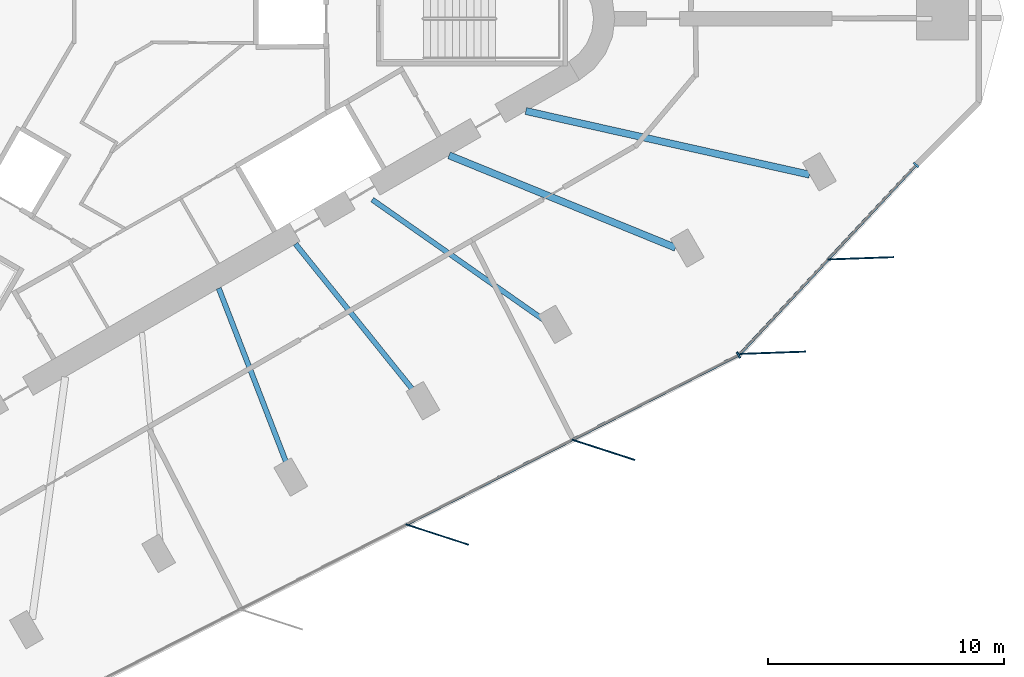
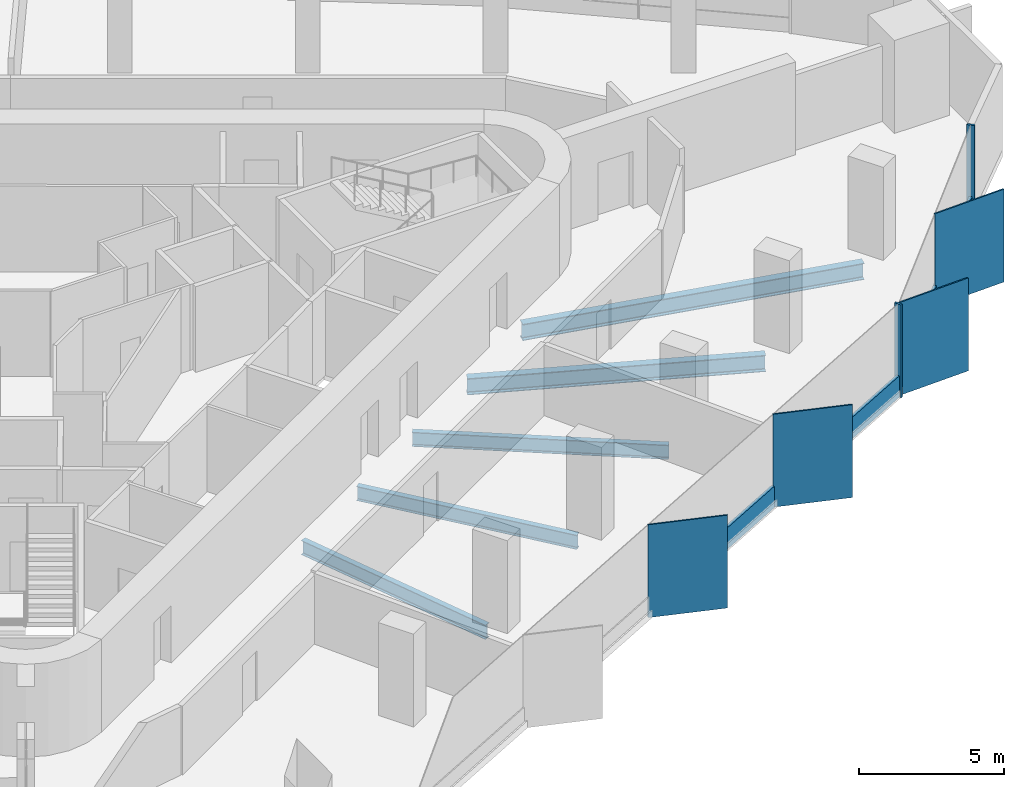
# One storey, part 3 of 13: 10 members, 5 beams, 2 elements without a shape of their own.
"""IFC4 building model written with IfcOpenShell, lengths in metres."""

from ifc_helpers import new_model, si_unit, direction, frame, origin, origin_2d, place, context, subcontext, project, spatial, rectangle, i_section, extrude, material, material_profile, profile_set, type_object, element, aggregate, save


model = new_model("IFC4")

# Units and contexts
model_context = context("Model", 3, precision=1e-05, world=origin(), true_north=direction((0.0, 1.0)))
body_context = subcontext(model_context, "Body", "Model", "MODEL_VIEW")
ifc_project = project(units=[si_unit("LENGTHUNIT", "METRE"), si_unit("AREAUNIT", "SQUARE_METRE"), si_unit("VOLUMEUNIT", "CUBIC_METRE"), si_unit("PLANEANGLEUNIT", "RADIAN"), si_unit("MASSUNIT", "GRAM", prefix="KILO")], contexts=[model_context])

# Site, building, storey
site_placement = place(None, origin())
site = spatial("IfcSite", under=ifc_project, at=site_placement, CompositionType="ELEMENT")
building_placement = place(site_placement, origin())
building = spatial("IfcBuilding", under=site, at=building_placement, Name="Tanit Gate Tower", CompositionType="ELEMENT")
storey_placement = place(building_placement, frame((0.0, 0.0, 310.39990234375)))
storey = spatial("IfcBuildingStorey", under=building, at=storey_placement, Name="L69", CompositionType="ELEMENT", Elevation=310.39990234375)

# Curtain wall, members
ifc_material_1 = material(Name="Aluminium bronze anodised and glass", Category="aluminium")
curtain_wall_type = type_object("IfcCurtainWallType", Name="Curtain wall typical high", PredefinedType="NOTDEFINED", material=ifc_material_1)
curtain_wall_1_placement = place(storey_placement, origin())
curtain_wall_1 = element("IfcCurtainWall", 1, at=curtain_wall_1_placement, inside=storey, type_object=curtain_wall_type, Name="Curtain wall L69 SE2", PredefinedType="NOTDEFINED")
ifc_material_2 = material(Name="Aluminium bronze anodised", Category="aluminium")
ifc_material_profile_1 = material_profile(ifc_material_2, rectangle(XDim=2.800048828125, YDim=0.055908203125, at=origin_2d()), Name="56x2800 bronze fin mullion")
ifc_profile_set_1 = profile_set([ifc_material_profile_1], Name="Aluminium bronze anodised")
member_type_1 = type_object("IfcMemberType", Name="FIN MULLION 56x2800 bronze", PredefinedType="MULLION", material=ifc_profile_set_1)
member_1_placement = place(storey_placement, frame((13.679443359375, -21.848388671875, -0.2998046875), z_axis=(0.0, 0.0, 1.0), x_axis=(-0.95115950718, 0.308699841109, 0.0)))
member_1 = element("IfcMember", 2, at=member_1_placement, type_object=member_type_1, Name="Fin mullion L69 SE2.3", PredefinedType="MULLION", context=body_context, shape_type="SweptSolid", body=[
    extrude(rectangle(XDim=2.800048828125, YDim=0.055908203125, at=origin_2d()), origin(), (0.0, 0.0, 1.0), 3.89990234375),
])
member_2_placement = place(storey_placement, frame((20.716552734375, -18.259765625, -0.2998046875), z_axis=(0.0, 0.0, 1.0), x_axis=(-0.95115950718, 0.308699841109, 0.0)))
member_2 = element("IfcMember", 3, at=member_2_placement, type_object=member_type_1, Name="Fin mullion L69 SE2.4", PredefinedType="MULLION", context=body_context, shape_type="SweptSolid", body=[
    extrude(rectangle(XDim=2.800048828125, YDim=0.055908203125, at=origin_2d()), origin(), (0.0, 0.0, 1.0), 3.89990234375),
])

curtain_wall_2_placement = place(storey_placement, origin())
curtain_wall_2 = element("IfcCurtainWall", 4, at=curtain_wall_2_placement, inside=storey, type_object=curtain_wall_type, Name="Curtain wall L69 SE3", PredefinedType="NOTDEFINED")
member_3_placement = place(storey_placement, frame((27.88330078125, -14.14892578125, -0.2998046875), z_axis=(0.0, 0.0, 1.0), x_axis=(-0.999378821077, -0.035241622859, 0.0)))
member_3 = element("IfcMember", 5, at=member_3_placement, type_object=member_type_1, Name="Fin mullion L69 SE3.1", PredefinedType="MULLION", context=body_context, shape_type="SweptSolid", body=[
    extrude(rectangle(XDim=2.800048828125, YDim=0.055908203125, at=origin_2d()), origin(), (0.0, 0.0, 1.0), 3.89990234375),
])
member_4_placement = place(storey_placement, frame((31.61181640625, -10.14794921875, -0.2998046875), z_axis=(0.0, 0.0, 1.0), x_axis=(-0.999378821077, -0.035241622859, 0.0)))
member_4 = element("IfcMember", 6, at=member_4_placement, type_object=member_type_1, Name="Fin mullion L69 SE3.2", PredefinedType="MULLION", context=body_context, shape_type="SweptSolid", body=[
    extrude(rectangle(XDim=2.800048828125, YDim=0.055908203125, at=origin_2d()), origin(), (0.0, 0.0, 1.0), 3.89990234375),
])

# Member
ifc_material_3 = material(Name="Aluminium bronze anodised", Category="aluminium")
ifc_material_profile_2 = material_profile(ifc_material_3, rectangle(XDim=0.280029296875, YDim=0.080078125, at=origin_2d()), Name="80x280 bronze mullion")
ifc_profile_set_2 = profile_set([ifc_material_profile_2], Name="Aluminium bronze anodised")
member_type_2 = type_object("IfcMemberType", Name="Mullion 80x280 typical high", PredefinedType="MULLION", material=ifc_profile_set_2)
member_5_placement = place(storey_placement, frame((26.441162109375, -14.2451171875, -0.2998046875), z_axis=(0.0, 0.0, 1.0), x_axis=(-0.454287586518, 0.890855088516, 0.0)))
member_5 = element("IfcMember", 7, at=member_5_placement, type_object=member_type_2, Name="Mullion L69 SE2.5", PredefinedType="MULLION", context=body_context, shape_type="SweptSolid", body=[
    extrude(rectangle(XDim=0.280029296875, YDim=0.080078125, at=origin_2d()), origin(), (0.0, 0.0, 1.0), 3.89990234375),
])

member_6_placement = place(storey_placement, frame((33.961181640625, -6.1953125, -0.2998046875), z_axis=(0.0, 0.0, 1.0), x_axis=(-0.731587131862, 0.681747950854, 0.0)))
member_6 = element("IfcMember", 8, at=member_6_placement, type_object=member_type_2, Name="Mullion L69 SE3.3", PredefinedType="MULLION", context=body_context, shape_type="SweptSolid", body=[
    extrude(rectangle(XDim=0.280029296875, YDim=0.080078125, at=origin_2d()), origin(), (0.0, 0.0, 1.0), 3.89990234375),
])

# Beams
ifc_material_4 = material(Name="Steel S355", Category="steel")
ifc_material_profile_3 = material_profile(ifc_material_4, i_section(OverallWidth=0.300048828125, OverallDepth=0.68994140625, WebThickness=0.014404296875, FlangeThickness=0.027099609375, FilletRadius=0.027099609375, at=origin_2d()), Name="HEA 700")
ifc_profile_set_3 = profile_set([ifc_material_profile_3], Name="Steel S355")
beam_type_1 = type_object("IfcBeamType", Name="RADIAL GIRDER HEA 700 S355", PredefinedType="BEAM", material=ifc_profile_set_3)
beam_1_placement = place(storey_placement, frame((23.7705078125, -9.7021484375, -0.64501953125), z_axis=(-0.925849999648, 0.377891225292, 0.0), x_axis=(-0.377891225292, -0.925849999648, 0.0)))
element("IfcBeam", 9, at=beam_1_placement, inside=storey, type_object=beam_type_1, Name="RADIAL GIRDER", PredefinedType="BEAM", context=body_context, shape_type="SweptSolid", body=[
    extrude(i_section(OverallWidth=0.300048828125, OverallDepth=0.68994140625, WebThickness=0.014404296875, FlangeThickness=0.027099609375, FilletRadius=0.027099609375, at=origin_2d()), origin(), (0.0, 0.0, 1.0), 10.35888671875),
])
beam_2_placement = place(storey_placement, frame((29.446533203125, -6.605712890625, -0.64501953125), z_axis=(-0.975751261889, 0.218882331225, 0.0), x_axis=(-0.218882331225, -0.975751261889, 0.0)))
element("IfcBeam", 10, at=beam_2_placement, inside=storey, type_object=beam_type_1, Name="RADIAL GIRDER", PredefinedType="BEAM", context=body_context, shape_type="SweptSolid", body=[
    extrude(i_section(OverallWidth=0.300048828125, OverallDepth=0.68994140625, WebThickness=0.014404296875, FlangeThickness=0.027099609375, FilletRadius=0.027099609375, at=origin_2d()), origin(), (0.0, 0.0, 1.0), 12.31396484375),
])
ifc_material_5 = material(Name="Steel S355", Category="steel")
ifc_material_profile_4 = material_profile(ifc_material_5, i_section(OverallWidth=0.219970703125, OverallDepth=0.60009765625, WebThickness=0.011962890625, FlangeThickness=0.01904296875, FilletRadius=0.02392578125, at=origin_2d()), Name="IPE 600")
ifc_profile_set_4 = profile_set([ifc_material_profile_4], Name="Steel S355")
beam_type_2 = type_object("IfcBeamType", Name="RADIAL GIRDER IPE 600 S355", PredefinedType="BEAM", material=ifc_profile_set_4)
for number, where, z_axis, x_axis, name in (
    (11, (7.36279296875, -18.99951171875, -0.599853515625), (-0.361334449338, 0.932436279711, 0.0), (-0.932436279711, -0.361334449338, 0.0), "RADIAL GIRDER"),
    (12, (12.772705078125, -15.876220703125, -0.599853515625), (-0.626835145211, 0.779151911201, 0.0), (-0.779151911201, -0.626835145211, 0.0), "RADIAL GIRDER"),
):
    element("IfcBeam", number, at=place(storey_placement, frame(where, z_axis=z_axis, x_axis=x_axis)), inside=storey, type_object=beam_type_2, Name=name, PredefinedType="BEAM", context=body_context, shape_type="SweptSolid", body=[
        extrude(i_section(OverallWidth=0.219970703125, OverallDepth=0.60009765625, WebThickness=0.011962890625, FlangeThickness=0.01904296875, FilletRadius=0.02392578125, at=origin_2d()), origin(), (0.0, 0.0, 1.0), 8.129638671875),
    ])
beam_3_placement = place(storey_placement, frame((18.1826171875, -12.752685546875, -0.599853515625), z_axis=(-0.818711219001, 0.574205485764, 0.0), x_axis=(-0.574205485764, -0.818711219001, 0.0)))
element("IfcBeam", 13, at=beam_3_placement, inside=storey, type_object=beam_type_2, Name="RADIAL GIRDER", PredefinedType="BEAM", context=body_context, shape_type="SweptSolid", body=[
    extrude(i_section(OverallWidth=0.219970703125, OverallDepth=0.60009765625, WebThickness=0.011962890625, FlangeThickness=0.01904296875, FilletRadius=0.02392578125, at=origin_2d()), origin(), (0.0, 0.0, 1.0), 8.86083984375),
])

# Member
ifc_material_6 = material(Name="Aluminium bronze anodised", Category="aluminium")
ifc_material_profile_5 = material_profile(ifc_material_6, rectangle(XDim=0.1201171875, YDim=0.89990234375, at=origin_2d()), Name="120x900 bronze transom")
ifc_profile_set_5 = profile_set([ifc_material_profile_5], Name="Aluminium bronze anodised")
member_type_3 = type_object("IfcMemberType", Name="Transom 120x900 typical high", PredefinedType="USERDEFINED", material=ifc_profile_set_5)
member_7_placement = place(storey_placement, frame((12.402099609375, -21.404296875, 0.150146484375), z_axis=(0.890845944364, 0.454305517697, 0.0), x_axis=(-0.454305517697, 0.890845944364, 0.0)))
member_7 = element("IfcMember", 14, at=member_7_placement, type_object=member_type_3, Name="Transom L69 SE2.3", ObjectType="TRANSOM", PredefinedType="USERDEFINED", context=body_context, shape_type="SweptSolid", body=[
    extrude(rectangle(XDim=0.1201171875, YDim=0.89990234375, at=origin_2d()), origin(), (0.0, 0.0, 1.0), 7.819580078125),
])

member_8_placement = place(storey_placement, frame((19.439453125, -17.8154296875, 0.150146484375), z_axis=(0.890858580088, 0.454280739504, 0.0), x_axis=(-0.454280739504, 0.890858580088, 0.0)))
member_8 = element("IfcMember", 15, at=member_8_placement, type_object=member_type_3, Name="Transom L69 SE2.4", ObjectType="TRANSOM", PredefinedType="USERDEFINED", context=body_context, shape_type="SweptSolid", body=[
    extrude(rectangle(XDim=0.1201171875, YDim=0.89990234375, at=origin_2d()), origin(), (0.0, 0.0, 1.0), 7.819580078125),
])

aggregate(curtain_wall_1, [member_1, member_2, member_5, member_7, member_8])

member_9_placement = place(storey_placement, frame((26.53125, -14.16845703125, 0.150146484375), z_axis=(0.681751500039, 0.731583824449, 0.0), x_axis=(-0.731583824449, 0.681751500039, 0.0)))
member_9 = element("IfcMember", 16, at=member_9_placement, type_object=member_type_3, Name="Transom L69 SE3.1", ObjectType="TRANSOM", PredefinedType="USERDEFINED", context=body_context, shape_type="SweptSolid", body=[
    extrude(rectangle(XDim=0.1201171875, YDim=0.89990234375, at=origin_2d()), origin(), (0.0, 0.0, 1.0), 5.38916015625),
])

member_10_placement = place(storey_placement, frame((30.259765625, -10.167236328125, 0.150146484375), z_axis=(0.681751500039, 0.731583824449, 0.0), x_axis=(-0.731583824449, 0.681751500039, 0.0)))
member_10 = element("IfcMember", 17, at=member_10_placement, type_object=member_type_3, Name="Transom L69 SE3.2", ObjectType="TRANSOM", PredefinedType="USERDEFINED", context=body_context, shape_type="SweptSolid", body=[
    extrude(rectangle(XDim=0.1201171875, YDim=0.89990234375, at=origin_2d()), origin(), (0.0, 0.0, 1.0), 5.38916015625),
])

aggregate(curtain_wall_2, [member_3, member_4, member_6, member_9, member_10])

save(model, "model.ifc")
